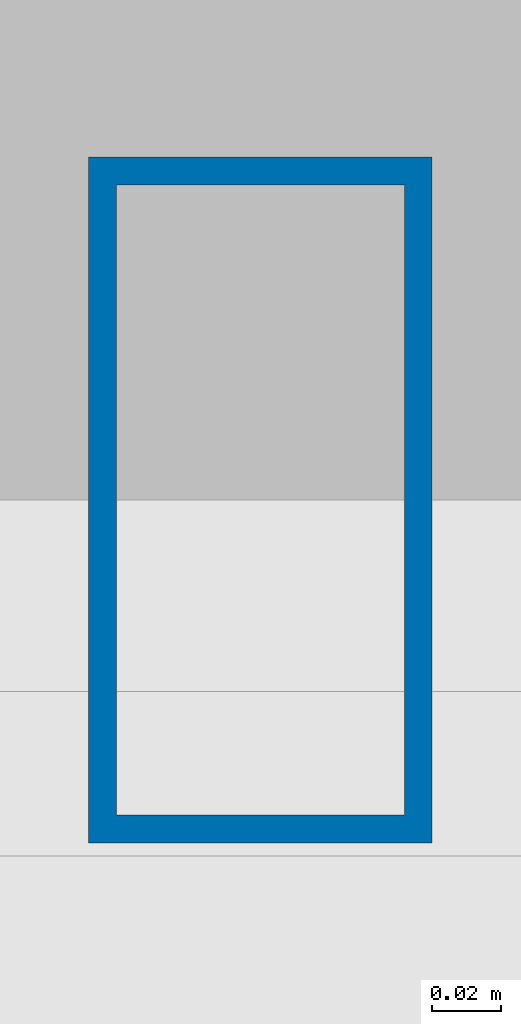
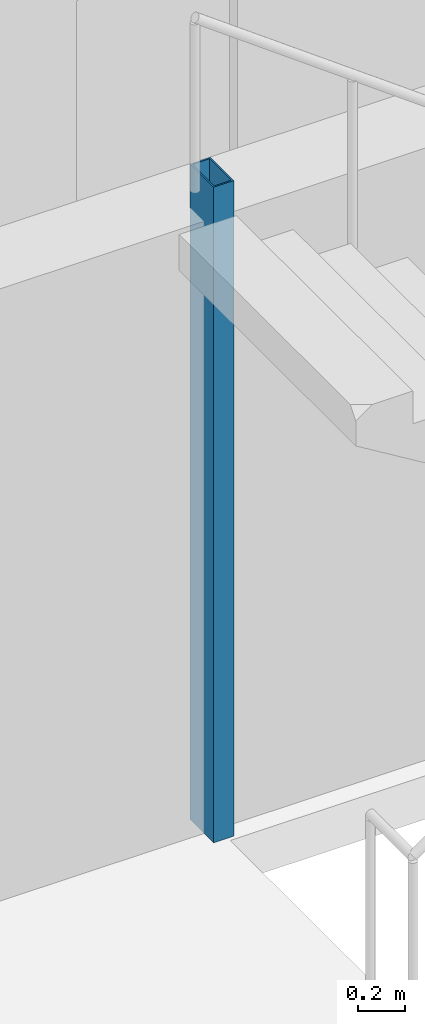
# One storey, part 2 of 19: 1 column.
"""IFC4 building model written with IfcOpenShell, lengths in metres."""

from ifc_helpers import new_model, si_unit, direction, frame, origin, origin_2d, place, context, subcontext, project, spatial, hollow_rectangle, extrude, material, material_profile, profile_set, type_object, element, save


model = new_model("IFC4")

# Units and contexts
model_context = context("Model", 3, precision=1e-05, world=origin(), true_north=direction((0.0, 1.0)))
body_context = subcontext(model_context, "Body", "Model", "MODEL_VIEW")
ifc_project = project(units=[si_unit("LENGTHUNIT", "METRE"), si_unit("AREAUNIT", "SQUARE_METRE"), si_unit("VOLUMEUNIT", "CUBIC_METRE"), si_unit("PLANEANGLEUNIT", "RADIAN"), si_unit("MASSUNIT", "GRAM", prefix="KILO")], contexts=[model_context])

# Site, building, storey
site_placement = place(None, origin())
site = spatial("IfcSite", under=ifc_project, at=site_placement, CompositionType="ELEMENT")
building_placement = place(site_placement, origin())
building = spatial("IfcBuilding", under=site, at=building_placement, Name="Menara Jurai Vektor", CompositionType="ELEMENT")
storey_placement = place(building_placement, frame((0.0, 0.0, 151.39990234375)))
storey = spatial("IfcBuildingStorey", under=building, at=storey_placement, Name="L38", CompositionType="ELEMENT", Elevation=151.39990234375)

# Column
ifc_material = material(Name="Steel S355", Category="steel")
ifc_material_profile = material_profile(ifc_material, hollow_rectangle(XDim=0.10009765625, YDim=0.199951171875, WallThickness=0.008056640625, at=origin_2d()), Name="RHS 200x100x8")
ifc_profile_set = profile_set([ifc_material_profile], Name="Steel S355")
column_type = type_object("IfcColumnType", Name="STR-COL-STAIR", PredefinedType="COLUMN", material=ifc_profile_set)
column_placement = place(storey_placement, frame((-11.1201171875, 5.419921875, 0.0), z_axis=(0.0, 0.0, 1.0), x_axis=(1.0, 0.0, 0.0)))
element("IfcColumn", 1, at=column_placement, inside=storey, type_object=column_type, Name="Stair Well Header Column ST1-P2 L38", PredefinedType="COLUMN", context=body_context, shape_type="SweptSolid", body=[
    extrude(hollow_rectangle(XDim=0.10009765625, YDim=0.199951171875, WallThickness=0.008056640625, at=origin_2d()), origin(), (0.0, 0.0, 1.0), 3.400146484375),
])

save(model, "model.ifc")
